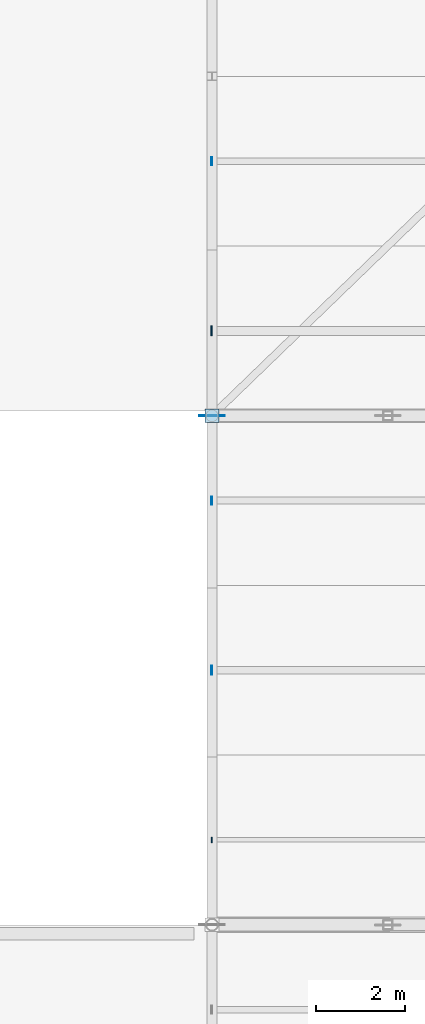
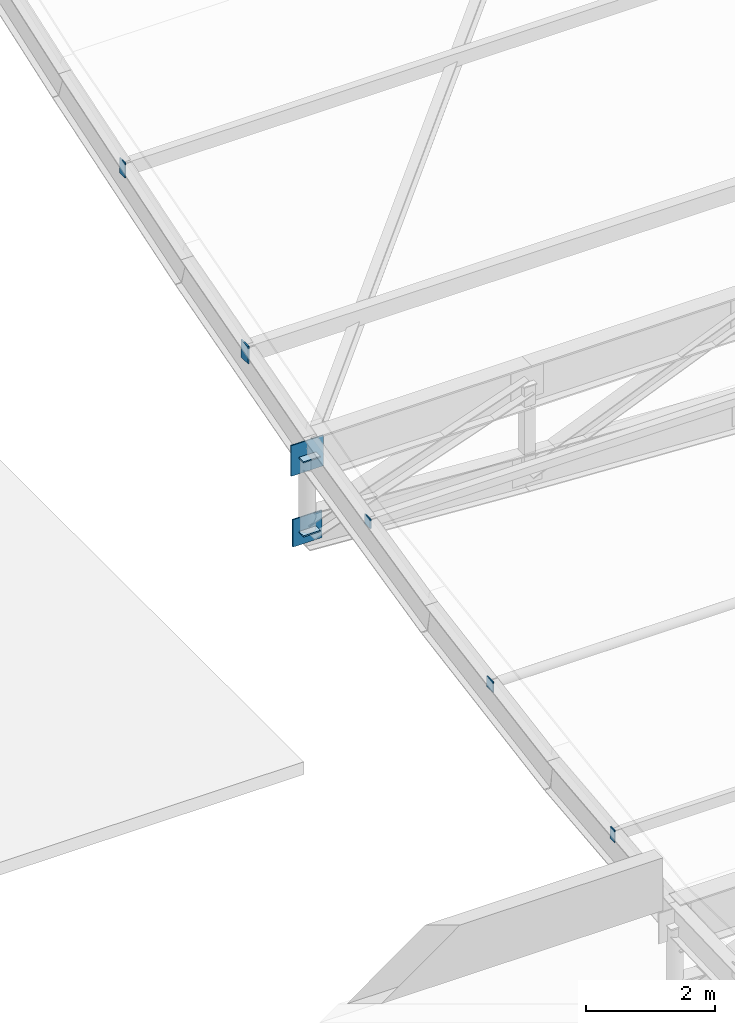
# One storey, part 35 of 65: 9 plates.
"""IFC4 building model written with IfcOpenShell, lengths in metres."""

from ifc_helpers import new_model, si_unit, direction, frame, origin, origin_2d, place, context, subcontext, project, spatial, rectangle, extrude, material, layer, layer_set, type_object, element, save


model = new_model("IFC4")

# Units and contexts
model_context = context("Model", 3, precision=1e-05, world=origin(), true_north=direction((0.0, 1.0)))
body_context = subcontext(model_context, "Body", "Model", "MODEL_VIEW")
ifc_project = project(units=[si_unit("LENGTHUNIT", "METRE"), si_unit("AREAUNIT", "SQUARE_METRE"), si_unit("VOLUMEUNIT", "CUBIC_METRE"), si_unit("PLANEANGLEUNIT", "RADIAN"), si_unit("MASSUNIT", "GRAM", prefix="KILO"), si_unit("POWERUNIT", "WATT"), si_unit("THERMODYNAMICTEMPERATUREUNIT", "KELVIN")], contexts=[model_context])

# Site, building, storey
site_placement = place(None, origin())
site = spatial("IfcSite", under=ifc_project, at=site_placement, CompositionType="ELEMENT")
building_placement = place(site_placement, origin())
building = spatial("IfcBuilding", under=site, at=building_placement, Name="Kelmbourne Parkland Aquatics Centre", CompositionType="ELEMENT")
storey_placement = place(building_placement, frame((0.0, 0.0, 27.0)))
storey = spatial("IfcBuildingStorey", under=building, at=storey_placement, Name="RF", CompositionType="ELEMENT", Elevation=27.0)

# Plates
ifc_material = material(Name="Welded plate steel AS/NZS 3678 Grade 350", Category="steel")
ifc_layer_1 = layer(ifc_material, 0.02001953125)
ifc_layer_set_1 = layer_set([ifc_layer_1], Name="Welded plate steel AS/NZS 3678 Grade 350")
plate_type_1 = type_object("IfcPlateType", Name="PL-CAP-20", PredefinedType="USERDEFINED", material=ifc_layer_set_1)
plate_1_placement = place(storey_placement, frame((127.990966796875, 59.699951171875, -12.466552734375), z_axis=(0.0, 0.0, 1.0), x_axis=(-1.0, 0.0, 0.0)))
element("IfcPlate", 1, at=plate_1_placement, inside=storey, type_object=plate_type_1, Name="Hollow end cap plate CAP-0421", ObjectType="END CAP PLATE", PredefinedType="USERDEFINED", context=body_context, shape_type="SweptSolid", body=[
    extrude(rectangle(XDim=0.02001953125, YDim=0.1298828125, at=origin_2d()), origin(), (0.0, 0.0, 1.0), 0.22998046875),
])
plate_2_placement = place(storey_placement, frame((127.990966796875, 63.5, -11.90478515625), z_axis=(0.0, 0.0, 1.0), x_axis=(-1.0, 0.0, 0.0)))
element("IfcPlate", 2, at=plate_2_placement, inside=storey, type_object=plate_type_1, Name="Hollow end cap plate CAP-0429", ObjectType="END CAP PLATE", PredefinedType="USERDEFINED", context=body_context, shape_type="SweptSolid", body=[
    extrude(rectangle(XDim=0.02001953125, YDim=0.1982421875, at=origin_2d()), origin(), (0.0, 0.0, 1.0), 0.1982421875),
])
plate_3_placement = place(storey_placement, frame((127.990966796875, 67.300048828125, -11.11669921875), z_axis=(0.0, 0.0, 1.0), x_axis=(-1.0, 0.0, 0.0)))
element("IfcPlate", 3, at=plate_3_placement, inside=storey, type_object=plate_type_1, Name="Hollow end cap plate CAP-0437", ObjectType="END CAP PLATE", PredefinedType="USERDEFINED", context=body_context, shape_type="SweptSolid", body=[
    extrude(rectangle(XDim=0.02001953125, YDim=0.179931640625, at=origin_2d()), origin(), (0.0, 0.0, 1.0), 0.179931640625),
])
plate_4_placement = place(storey_placement, frame((127.990966796875, 74.89990234375, -9.0859375), z_axis=(0.0, 0.0, 1.0), x_axis=(-1.0, 0.0, 0.0)))
element("IfcPlate", 4, at=plate_4_placement, inside=storey, type_object=plate_type_1, Name="Hollow end cap plate CAP-0453", ObjectType="END CAP PLATE", PredefinedType="USERDEFINED", context=body_context, shape_type="SweptSolid", body=[
    extrude(rectangle(XDim=0.02001953125, YDim=0.179931640625, at=origin_2d()), origin(), (0.0, 0.0, 1.0), 0.280029296875),
])
ifc_layer_2 = layer(ifc_material, 0.02392578125)
ifc_layer_set_2 = layer_set([ifc_layer_2], Name="Welded plate steel AS/NZS 3678 Grade 350")
plate_type_2 = type_object("IfcPlateType", Name="PL-CAP-24", PredefinedType="USERDEFINED", material=ifc_layer_set_2)
for number, where, z_axis, x_axis, name in (
    (5, (128.0, 69.199951171875, -12.343505859375), (0.0, 0.0, 1.0), (1.0, 0.0, 0.0), "Hollow end cap plate CAP-0171"),
    (6, (128.0, 69.199951171875, -10.94140625), (0.0, 0.0, 1.0), (1.0, 0.0, 0.0), "Hollow end cap plate CAP-0172"),
):
    element("IfcPlate", number, at=place(storey_placement, frame(where, z_axis=z_axis, x_axis=x_axis)), inside=storey, type_object=plate_type_2, Name=name, ObjectType="END CAP PLATE", PredefinedType="USERDEFINED", context=body_context, shape_type="SweptSolid", body=[
        extrude(rectangle(XDim=0.302978515625, YDim=0.302978515625, at=origin_2d()), origin(), (0.0, 0.0, 1.0), 0.02392578125),
    ])
plate_5_placement = place(storey_placement, frame((127.989013671875, 71.10009765625, -10.28759765625), z_axis=(0.0, 0.0, 1.0), x_axis=(-1.0, 0.0, 0.0)))
element("IfcPlate", 7, at=plate_5_placement, inside=storey, type_object=plate_type_2, Name="Hollow end cap plate CAP-0445", ObjectType="END CAP PLATE", PredefinedType="USERDEFINED", context=body_context, shape_type="SweptSolid", body=[
    extrude(rectangle(XDim=0.02392578125, YDim=0.22998046875, at=origin_2d()), origin(), (0.0, 0.0, 1.0), 0.330078125),
])
ifc_layer_3 = layer(ifc_material, 0.02001953125)
ifc_layer_set_3 = layer_set([ifc_layer_3], Name="Welded plate steel AS/NZS 3678 Grade 350")
plate_type_3 = type_object("IfcPlateType", Name="PL-GUS-1", PredefinedType="USERDEFINED", material=ifc_layer_set_3)
plate_6_placement = place(storey_placement, frame((128.0, 69.199951171875, -11.23046875), z_axis=(0.0, 0.0, 1.0), x_axis=(1.0, 0.0, 0.0)))
element("IfcPlate", 8, at=plate_6_placement, inside=storey, type_object=plate_type_3, Name="Truss top node TN-1 gusset plate R06-N0", ObjectType="GUSSET PLATE", PredefinedType="USERDEFINED", context=body_context, shape_type="SweptSolid", body=[
    extrude(rectangle(XDim=0.580078125, YDim=0.02001953125, at=origin_2d()), origin(), (0.0, 0.0, 1.0), 0.580078125),
])
plate_7_placement = place(storey_placement, frame((128.0, 69.199951171875, -12.58056640625), z_axis=(0.0, 0.0, 1.0), x_axis=(1.0, 0.0, 0.0)))
element("IfcPlate", 9, at=plate_7_placement, inside=storey, type_object=plate_type_3, Name="Truss bottom node TN-1 gusset plate R06-B0", ObjectType="GUSSET PLATE", PredefinedType="USERDEFINED", context=body_context, shape_type="SweptSolid", body=[
    extrude(rectangle(XDim=0.52001953125, YDim=0.02001953125, at=origin_2d()), origin(), (0.0, 0.0, 1.0), 0.52001953125),
])

save(model, "model.ifc")
